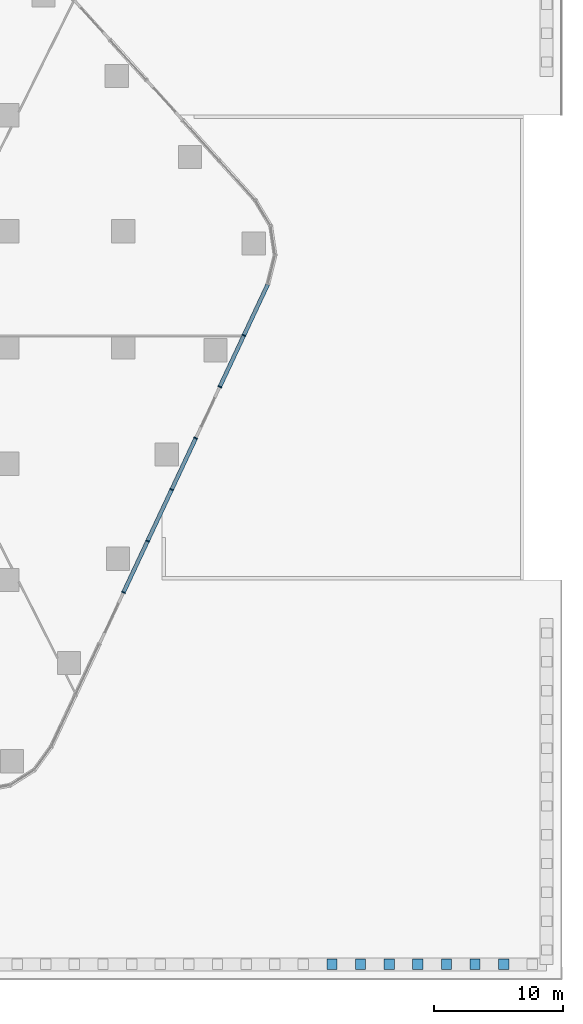
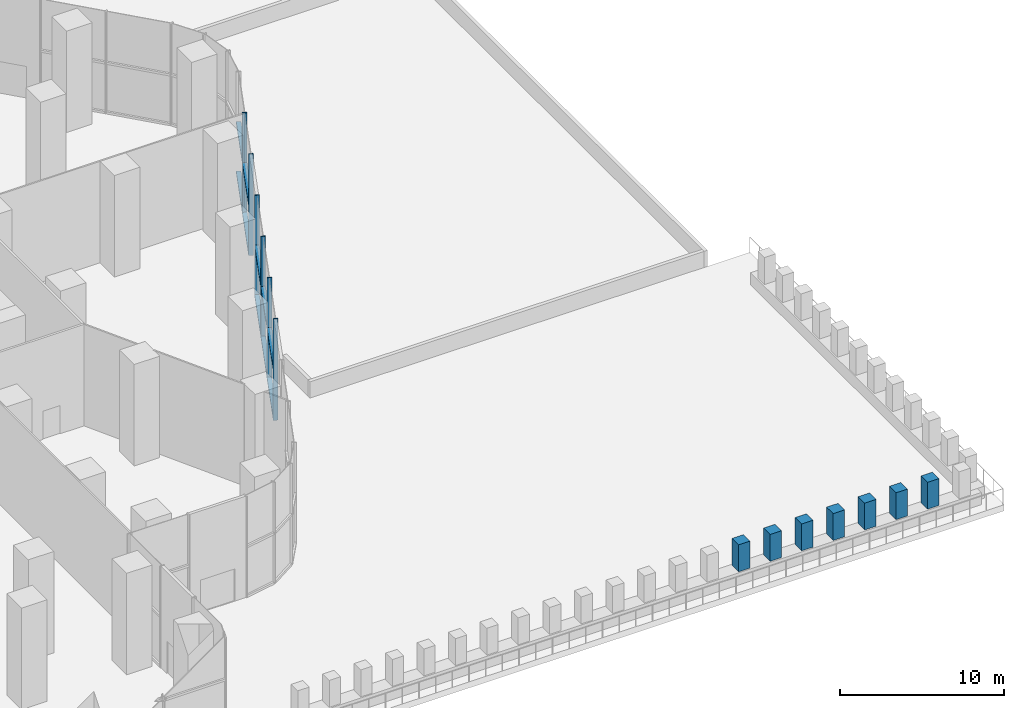
# One storey, part 5 of 22: 23 members, 2 elements without a shape of their own.
"""IFC4 building model written with IfcOpenShell, lengths in metres."""

from ifc_helpers import new_model, si_unit, direction, frame, origin, origin_2d, place, context, subcontext, project, spatial, rectangle, extrude, material, layer, layer_set, material_profile, profile_set, type_object, element, aggregate, save


model = new_model("IFC4")

# Units and contexts
model_context = context("Model", 3, precision=1e-05, world=origin(), true_north=direction((0.0, 1.0)))
body_context = subcontext(model_context, "Body", "Model", "MODEL_VIEW")
ifc_project = project(units=[si_unit("LENGTHUNIT", "METRE"), si_unit("AREAUNIT", "SQUARE_METRE"), si_unit("VOLUMEUNIT", "CUBIC_METRE"), si_unit("PLANEANGLEUNIT", "RADIAN"), si_unit("MASSUNIT", "GRAM", prefix="KILO")], contexts=[model_context])

# Site, building, storey
site_placement = place(None, origin())
site = spatial("IfcSite", under=ifc_project, at=site_placement, CompositionType="ELEMENT")
building_placement = place(site_placement, origin())
building = spatial("IfcBuilding", under=site, at=building_placement, Name="Dongbaek Canopy Tower", CompositionType="ELEMENT")
storey_placement = place(building_placement, frame((0.0, 0.0, 19.0)))
storey = spatial("IfcBuildingStorey", under=building, at=storey_placement, Name="L02", CompositionType="ELEMENT", Elevation=19.0)

# Curtain wall, members
ifc_material_1 = material(Name="Aluminium 6063-T6 pale anodised", Category="aluminium")
ifc_layer = layer(ifc_material_1, 0.300048828125)
ifc_layer_set = layer_set([ifc_layer], Name="CW-2 podium hall curtain wall")
curtain_wall_type = type_object("IfcCurtainWallType", Name="CW-2 podium hall curtain wall", PredefinedType="NOTDEFINED", material=ifc_layer_set)
curtain_wall_1_placement = place(storey_placement, origin())
curtain_wall_1 = element("IfcCurtainWall", 1, at=curtain_wall_1_placement, inside=storey, type_object=curtain_wall_type, Name="CW-2 curtain wall F0.2", PredefinedType="NOTDEFINED")
ifc_material_2 = material(Name="Aluminium 6063-T6 pale anodised", Category="aluminium")
ifc_material_profile_1 = material_profile(ifc_material_2, rectangle(XDim=0.300048828125, YDim=0.080078125, at=origin_2d()), Name="CW-2 mullion 80 x 300")
ifc_profile_set_1 = profile_set([ifc_material_profile_1], Name="Aluminium 6063-T6 pale anodised")
member_type_1 = type_object("IfcMemberType", Name="CW-2 mullion 80 x 300", PredefinedType="MULLION", material=ifc_profile_set_1)
member_1_placement = place(storey_placement, frame((27.011474609375, -18.9697265625, 0.0), z_axis=(0.0, 0.0, 1.0), x_axis=(0.905604654395, -0.424122871275, 0.0)))
member_1 = element("IfcMember", 2, at=member_1_placement, type_object=member_type_1, Name="CW-2 mullion F0.2.1", PredefinedType="MULLION", context=body_context, shape_type="SweptSolid", body=[
    extrude(rectangle(XDim=0.300048828125, YDim=0.080078125, at=origin_2d()), origin(), (0.0, 0.0, 1.0), 7.550048828125),
])
member_2_placement = place(storey_placement, frame((28.876953125, -14.98681640625, 0.0), z_axis=(0.0, 0.0, 1.0), x_axis=(0.905604654395, -0.424122871275, 0.0)))
member_2 = element("IfcMember", 3, at=member_2_placement, type_object=member_type_1, Name="CW-2 mullion F0.2.2", PredefinedType="MULLION", context=body_context, shape_type="SweptSolid", body=[
    extrude(rectangle(XDim=0.300048828125, YDim=0.080078125, at=origin_2d()), origin(), (0.0, 0.0, 1.0), 7.550048828125),
])
member_3_placement = place(storey_placement, frame((30.7421875, -11.00390625, 0.0), z_axis=(0.0, 0.0, 1.0), x_axis=(0.905604654395, -0.424122871275, 0.0)))
member_3 = element("IfcMember", 4, at=member_3_placement, type_object=member_type_1, Name="CW-2 mullion F0.2.3", PredefinedType="MULLION", context=body_context, shape_type="SweptSolid", body=[
    extrude(rectangle(XDim=0.300048828125, YDim=0.080078125, at=origin_2d()), origin(), (0.0, 0.0, 1.0), 7.550048828125),
])
member_4_placement = place(storey_placement, frame((32.607421875, -7.02099609375, 0.0), z_axis=(0.0, 0.0, 1.0), x_axis=(0.905604654395, -0.424122871275, 0.0)))
member_4 = element("IfcMember", 5, at=member_4_placement, type_object=member_type_1, Name="CW-2 mullion F0.2.4", PredefinedType="MULLION", context=body_context, shape_type="SweptSolid", body=[
    extrude(rectangle(XDim=0.300048828125, YDim=0.080078125, at=origin_2d()), origin(), (0.0, 0.0, 1.0), 7.550048828125),
])

curtain_wall_2_placement = place(storey_placement, origin())
curtain_wall_2 = element("IfcCurtainWall", 6, at=curtain_wall_2_placement, inside=storey, type_object=curtain_wall_type, Name="CW-2 curtain wall F0.3", PredefinedType="NOTDEFINED")
member_5_placement = place(storey_placement, frame((34.472900390625, -3.0380859375, 0.0), z_axis=(0.0, 0.0, 1.0), x_axis=(0.905604654395, -0.424122871275, 0.0)))
member_5 = element("IfcMember", 7, at=member_5_placement, type_object=member_type_1, Name="CW-2 mullion F0.3.1", PredefinedType="MULLION", context=body_context, shape_type="SweptSolid", body=[
    extrude(rectangle(XDim=0.300048828125, YDim=0.080078125, at=origin_2d()), origin(), (0.0, 0.0, 1.0), 7.550048828125),
])
member_6_placement = place(storey_placement, frame((36.338134765625, 0.94482421875, 0.0), z_axis=(0.0, 0.0, 1.0), x_axis=(0.905604654395, -0.424122871275, 0.0)))
member_6 = element("IfcMember", 8, at=member_6_placement, type_object=member_type_1, Name="CW-2 mullion F0.3.2", PredefinedType="MULLION", context=body_context, shape_type="SweptSolid", body=[
    extrude(rectangle(XDim=0.300048828125, YDim=0.080078125, at=origin_2d()), origin(), (0.0, 0.0, 1.0), 7.550048828125),
])

# Member
ifc_material_3 = material(Name="Aluminium 6063-T6 pale anodised", Category="aluminium")
ifc_material_profile_2 = material_profile(ifc_material_3, rectangle(XDim=0.300048828125, YDim=0.159912109375, at=origin_2d()), Name="CW-2 transom 160 x 300")
ifc_profile_set_2 = profile_set([ifc_material_profile_2], Name="Aluminium 6063-T6 pale anodised")
member_type_2 = type_object("IfcMemberType", Name="CW-2 transom 160 x 300", PredefinedType="USERDEFINED", material=ifc_profile_set_2)
member_7_placement = place(storey_placement, frame((27.03369140625, -18.922607421875, 0.080078125), z_axis=(0.424095891584, 0.905617289335, 0.0), x_axis=(-0.905617289335, 0.424095891584, 0.0)))
member_7 = element("IfcMember", 9, at=member_7_placement, type_object=member_type_2, Name="CW-2 transom F0.2.1.1", ObjectType="TRANSOM", PredefinedType="USERDEFINED", context=body_context, shape_type="SweptSolid", body=[
    extrude(rectangle(XDim=0.300048828125, YDim=0.159912109375, at=origin_2d()), origin(), (0.0, 0.0, 1.0), 4.2939453125),
])

member_8_placement = place(storey_placement, frame((27.03369140625, -18.922607421875, 3.77490234375), z_axis=(0.424095891584, 0.905617289335, 0.0), x_axis=(-0.905617289335, 0.424095891584, 0.0)))
member_8 = element("IfcMember", 10, at=member_8_placement, type_object=member_type_2, Name="CW-2 transom F0.2.1.2", ObjectType="TRANSOM", PredefinedType="USERDEFINED", context=body_context, shape_type="SweptSolid", body=[
    extrude(rectangle(XDim=0.300048828125, YDim=0.159912109375, at=origin_2d()), origin(), (0.0, 0.0, 1.0), 4.2939453125),
])

member_9_placement = place(storey_placement, frame((28.89892578125, -14.939697265625, 0.080078125), z_axis=(0.424142520697, 0.905595451698, 0.0), x_axis=(-0.905595451698, 0.424142520697, 0.0)))
member_9 = element("IfcMember", 11, at=member_9_placement, type_object=member_type_2, Name="CW-2 transom F0.2.2.1", ObjectType="TRANSOM", PredefinedType="USERDEFINED", context=body_context, shape_type="SweptSolid", body=[
    extrude(rectangle(XDim=0.300048828125, YDim=0.159912109375, at=origin_2d()), origin(), (0.0, 0.0, 1.0), 4.2939453125),
])

member_10_placement = place(storey_placement, frame((28.89892578125, -14.939697265625, 3.77490234375), z_axis=(0.424142520697, 0.905595451698, 0.0), x_axis=(-0.905595451698, 0.424142520697, 0.0)))
member_10 = element("IfcMember", 12, at=member_10_placement, type_object=member_type_2, Name="CW-2 transom F0.2.2.2", ObjectType="TRANSOM", PredefinedType="USERDEFINED", context=body_context, shape_type="SweptSolid", body=[
    extrude(rectangle(XDim=0.300048828125, YDim=0.159912109375, at=origin_2d()), origin(), (0.0, 0.0, 1.0), 4.2939453125),
])

member_11_placement = place(storey_placement, frame((30.76416015625, -10.956787109375, 0.080078125), z_axis=(0.424142520697, 0.905595451698, 0.0), x_axis=(-0.905595451698, 0.424142520697, 0.0)))
member_11 = element("IfcMember", 13, at=member_11_placement, type_object=member_type_2, Name="CW-2 transom F0.2.3.1", ObjectType="TRANSOM", PredefinedType="USERDEFINED", context=body_context, shape_type="SweptSolid", body=[
    extrude(rectangle(XDim=0.300048828125, YDim=0.159912109375, at=origin_2d()), origin(), (0.0, 0.0, 1.0), 4.2939453125),
])

member_12_placement = place(storey_placement, frame((30.76416015625, -10.956787109375, 3.77490234375), z_axis=(0.424142520697, 0.905595451698, 0.0), x_axis=(-0.905595451698, 0.424142520697, 0.0)))
member_12 = element("IfcMember", 14, at=member_12_placement, type_object=member_type_2, Name="CW-2 transom F0.2.3.2", ObjectType="TRANSOM", PredefinedType="USERDEFINED", context=body_context, shape_type="SweptSolid", body=[
    extrude(rectangle(XDim=0.300048828125, YDim=0.159912109375, at=origin_2d()), origin(), (0.0, 0.0, 1.0), 4.2939453125),
])

aggregate(curtain_wall_1, [member_1, member_2, member_3, member_4, member_7, member_8, member_9, member_10, member_11, member_12])

member_13_placement = place(storey_placement, frame((34.494873046875, -2.990966796875, 0.080078125), z_axis=(0.424142520697, 0.905595451698, 0.0), x_axis=(-0.905595451698, 0.424142520697, 0.0)))
member_13 = element("IfcMember", 15, at=member_13_placement, type_object=member_type_2, Name="CW-2 transom F0.3.1.1", ObjectType="TRANSOM", PredefinedType="USERDEFINED", context=body_context, shape_type="SweptSolid", body=[
    extrude(rectangle(XDim=0.300048828125, YDim=0.159912109375, at=origin_2d()), origin(), (0.0, 0.0, 1.0), 4.2939453125),
])

member_14_placement = place(storey_placement, frame((34.494873046875, -2.990966796875, 3.77490234375), z_axis=(0.424142520697, 0.905595451698, 0.0), x_axis=(-0.905595451698, 0.424142520697, 0.0)))
member_14 = element("IfcMember", 16, at=member_14_placement, type_object=member_type_2, Name="CW-2 transom F0.3.1.2", ObjectType="TRANSOM", PredefinedType="USERDEFINED", context=body_context, shape_type="SweptSolid", body=[
    extrude(rectangle(XDim=0.300048828125, YDim=0.159912109375, at=origin_2d()), origin(), (0.0, 0.0, 1.0), 4.2939453125),
])

member_15_placement = place(storey_placement, frame((36.360107421875, 0.991943359375, 0.080078125), z_axis=(0.424157907477, 0.905588245024, 0.0), x_axis=(-0.905588245024, 0.424157907477, 0.0)))
member_15 = element("IfcMember", 17, at=member_15_placement, type_object=member_type_2, Name="CW-2 transom F0.3.2.1", ObjectType="TRANSOM", PredefinedType="USERDEFINED", context=body_context, shape_type="SweptSolid", body=[
    extrude(rectangle(XDim=0.300048828125, YDim=0.159912109375, at=origin_2d()), origin(), (0.0, 0.0, 1.0), 4.2841796875),
])

member_16_placement = place(storey_placement, frame((36.360107421875, 0.991943359375, 3.77490234375), z_axis=(0.424157907477, 0.905588245024, 0.0), x_axis=(-0.905588245024, 0.424157907477, 0.0)))
member_16 = element("IfcMember", 18, at=member_16_placement, type_object=member_type_2, Name="CW-2 transom F0.3.2.2", ObjectType="TRANSOM", PredefinedType="USERDEFINED", context=body_context, shape_type="SweptSolid", body=[
    extrude(rectangle(XDim=0.300048828125, YDim=0.159912109375, at=origin_2d()), origin(), (0.0, 0.0, 1.0), 4.2841796875),
])

aggregate(curtain_wall_2, [member_5, member_6, member_13, member_14, member_15, member_16])

# Members
ifc_material_4 = material(Name="Concrete C40/50 planter mass with planting", Category="concrete")
ifc_material_profile_3 = material_profile(ifc_material_4, rectangle(XDim=0.800048828125, YDim=0.800048828125, at=origin_2d()), Name="Shrub planting 800 x 800 x 2000")
ifc_profile_set_3 = profile_set([ifc_material_profile_3], Name="Concrete C40/50 planter mass with planting")
member_type_3 = type_object("IfcMemberType", Name="Shrub planting 800 x 800 x 2000", PredefinedType="USERDEFINED", material=ifc_profile_set_3)
for number, where, z_axis, x_axis, name in (
    (19, (56.4638671875, -47.785888671875, 0.89990234375), (0.0, 0.0, 1.0), (1.0, 0.0, 0.0), "Podium shrub planting 69"),
    (20, (54.246337890625, -47.78564453125, 0.89990234375), (0.0, 0.0, 1.0), (1.0, 0.0, 0.0), "Podium shrub planting 70"),
    (21, (52.029052734375, -47.785400390625, 0.89990234375), (0.0, 0.0, 1.0), (1.0, 0.0, 0.0), "Podium shrub planting 71"),
    (22, (49.811767578125, -47.78515625, 0.89990234375), (0.0, 0.0, 1.0), (1.0, 0.0, 0.0), "Podium shrub planting 72"),
    (23, (47.59423828125, -47.784912109375, 0.89990234375), (0.0, 0.0, 1.0), (1.0, 0.0, 0.0), "Podium shrub planting 73"),
    (24, (45.376953125, -47.784912109375, 0.89990234375), (0.0, 0.0, 1.0), (1.0, 0.0, 0.0), "Podium shrub planting 74"),
    (25, (43.15966796875, -47.78466796875, 0.89990234375), (0.0, 0.0, 1.0), (1.0, 0.0, 0.0), "Podium shrub planting 75"),
):
    element("IfcMember", number, at=place(storey_placement, frame(where, z_axis=z_axis, x_axis=x_axis)), inside=storey, type_object=member_type_3, Name=name, ObjectType="PLANTING", PredefinedType="USERDEFINED", context=body_context, shape_type="SweptSolid", body=[
        extrude(rectangle(XDim=0.800048828125, YDim=0.800048828125, at=origin_2d()), origin(), (0.0, 0.0, 1.0), 2.0),
    ])

save(model, "model.ifc")
